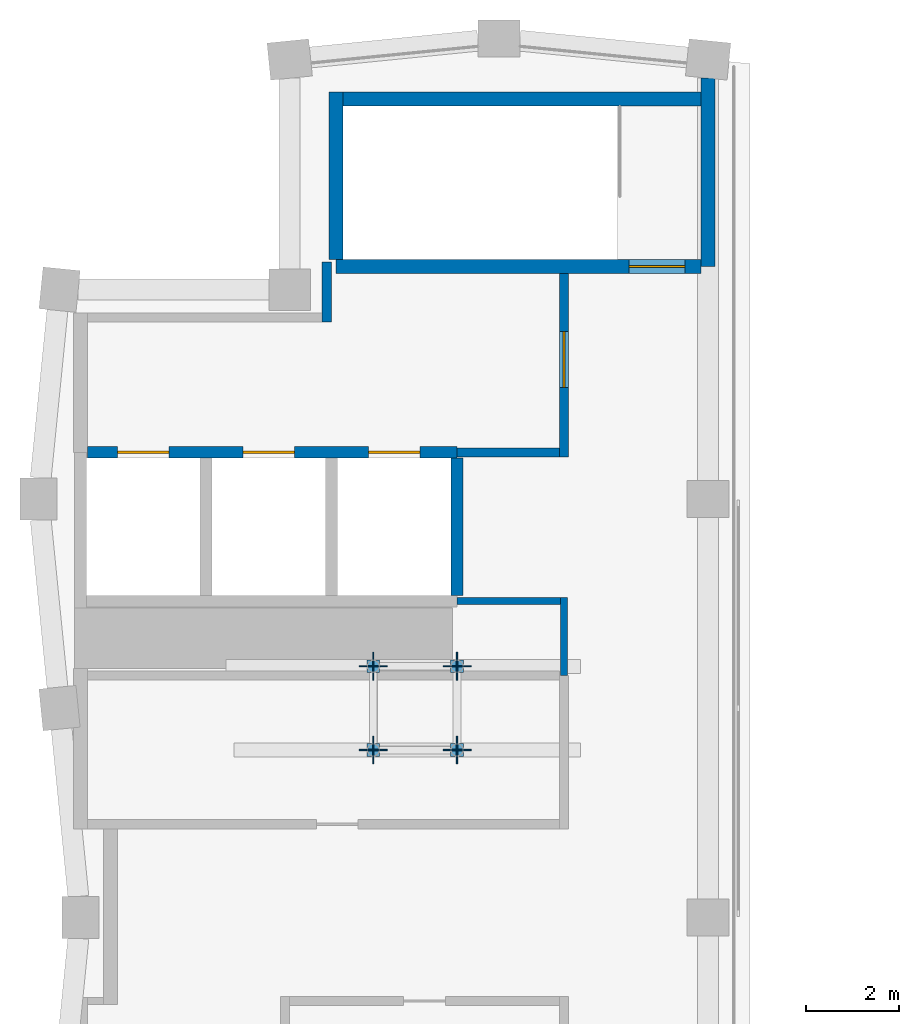
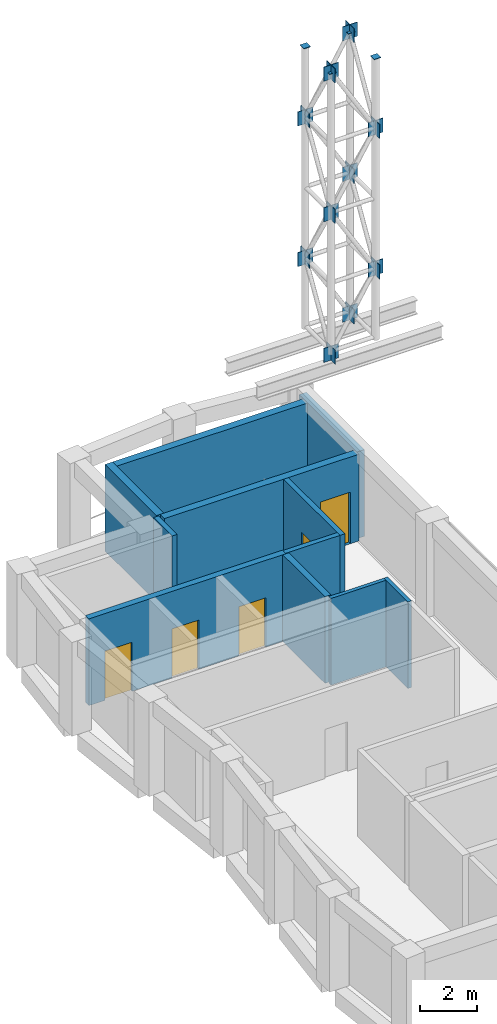
# One storey, part 6 of 7: 24 discrete accessories, 11 walls, 5 doors, 5 openings.
"""IFC4 building model written with IfcOpenShell, lengths in metres."""

from ifc_helpers import new_model, si_unit, direction, frame, frame_2d, origin, origin_2d, place, context, subcontext, project, spatial, rectangle, extrude, material, layer, layer_set, type_object, element, fill, save


model = new_model("IFC4")

# Units and contexts
model_context = context("Model", 3, precision=1e-05, world=origin(), true_north=direction((0.0, 1.0)))
body_context = subcontext(model_context, "Body", "Model", "MODEL_VIEW")
ifc_project = project(units=[si_unit("LENGTHUNIT", "METRE"), si_unit("AREAUNIT", "SQUARE_METRE"), si_unit("VOLUMEUNIT", "CUBIC_METRE"), si_unit("PLANEANGLEUNIT", "RADIAN"), si_unit("MASSUNIT", "GRAM", prefix="KILO")], contexts=[model_context])

# Site, building, storey
site_placement = place(None, origin())
site = spatial("IfcSite", under=ifc_project, at=site_placement, CompositionType="ELEMENT")
building_placement = place(site_placement, origin())
building = spatial("IfcBuilding", under=site, at=building_placement, Name="Brondeck Convention Tower", CompositionType="ELEMENT")
storey_placement = place(building_placement, frame((0.0, 0.0, 306.800048828125)))
storey = spatial("IfcBuildingStorey", under=building, at=storey_placement, Name="L76", CompositionType="ELEMENT", Elevation=306.800048828125)

# Walls
ifc_material_1 = material(Name="Fire-rated gypsum board partition")
ifc_layer_1 = layer(ifc_material_1, 0.14990234375)
ifc_layer_set_1 = layer_set([ifc_layer_1], Name="Core partition 150 EI 60")
wall_type_1 = type_object("IfcWallType", Name="Core partition 150 EI 60", PredefinedType="PARTITIONING", material=ifc_layer_set_1)
wall_1_placement = place(storey_placement, frame((8.10009765625, 51.800048828125, 0.0), z_axis=(0.0, 0.0, 1.0), x_axis=(1.0, 0.0, 0.0)))
element("IfcWall", 1, at=wall_1_placement, inside=storey, type_object=wall_type_1, Name="L76 core wall", PredefinedType="PARTITIONING", context=body_context, shape_type="SweptSolid", body=[
    extrude(rectangle(XDim=2.224853515625, YDim=0.14990234375, at=frame_2d((1.1123046875, 0.0))), origin(), (0.0, 0.0, 1.0), 3.699951171875),
])
wall_2_placement = place(storey_placement, frame((10.39990234375, 50.199951171875, 0.0), z_axis=(0.0, 0.0, 1.0), x_axis=(0.0, 1.0, 0.0)))
element("IfcWall", 2, at=wall_2_placement, inside=storey, type_object=wall_type_1, Name="L76 core wall", PredefinedType="PARTITIONING", context=body_context, shape_type="SweptSolid", body=[
    extrude(rectangle(XDim=1.675048828125, YDim=0.14990234375, at=frame_2d((0.83740234375, 0.0))), origin(), (0.0, 0.0, 1.0), 3.699951171875),
])
ifc_layer_2 = layer(ifc_material_1, 0.199951171875)
ifc_layer_set_2 = layer_set([ifc_layer_2], Name="Firefighting lobby wall 200 EI 120")
wall_type_2 = type_object("IfcWallType", Name="Firefighting lobby wall 200 EI 120", PredefinedType="PARTITIONING", material=ifc_layer_set_2)
wall_3_placement = place(storey_placement, frame((8.10009765625, 55.0, 0.0), z_axis=(0.0, 0.0, 1.0), x_axis=(1.0, 0.0, 0.0)))
element("IfcWall", 3, at=wall_3_placement, inside=storey, type_object=wall_type_2, Name="L76 core wall", PredefinedType="PARTITIONING", context=body_context, shape_type="SweptSolid", body=[
    extrude(rectangle(XDim=2.199951171875, YDim=0.199951171875, at=frame_2d((1.10009765625, 0.0))), origin(), (0.0, 0.0, 1.0), 3.699951171875),
])
wall_4_placement = place(storey_placement, frame((5.300048828125, 57.800048828125, 0.0), z_axis=(0.0, 0.0, 1.0), x_axis=(0.0, 1.0, 0.0)))
element("IfcWall", 4, at=wall_4_placement, inside=storey, type_object=wall_type_2, Name="L76 core wall", PredefinedType="PARTITIONING", context=body_context, shape_type="SweptSolid", body=[
    extrude(rectangle(XDim=1.300048828125, YDim=0.199951171875, at=frame_2d((0.64990234375, 0.0))), origin(), (0.0, 0.0, 1.0), 3.699951171875),
])

# Wall, opening, door
wall_5_placement = place(storey_placement, frame((10.39990234375, 54.89990234375, 0.0), z_axis=(0.0, 0.0, 1.0), x_axis=(0.0, 1.0, 0.0)))
wall_5 = element("IfcWall", 5, at=wall_5_placement, inside=storey, type_object=wall_type_2, Name="L76 core wall", PredefinedType="PARTITIONING", context=body_context, shape_type="SweptSolid", body=[
    extrude(rectangle(XDim=3.9501953125, YDim=0.199951171875, at=frame_2d((1.97509765625, 0.0))), origin(), (0.0, 0.0, 1.0), 3.699951171875),
])
opening_1_placement = place(wall_5_placement, frame((1.5, 0.0, 0.0)))
opening_1 = element("IfcOpeningElement", 6, at=opening_1_placement, cuts=wall_5, Name="Opening C43-01", PredefinedType="OPENING", context=body_context, shape_type="SweptSolid", body=[
    extrude(rectangle(XDim=1.199951171875, YDim=2.199951171875, at=frame_2d((0.60009765625, 1.10009765625))), frame((0.0, 0.10986328125, 0.0), z_axis=(0.0, -1.0, 0.0), x_axis=(1.0, 0.0, 0.0)), (0.0, 0.0, 1.0), 0.219970703125),
])
ifc_material_2 = material(Name="Steel fire door", Category="steel")
door_type_1 = type_object("IfcDoorType", Name="Firefighting lobby door 1200x2200 EI 120", OperationType="NOTDEFINED", PredefinedType="DOOR", material=ifc_material_2)
door_1_placement = place(opening_1_placement, origin())
door_1 = element("IfcDoor", 7, at=door_1_placement, inside=storey, type_object=door_type_1, Name="L76 Firefighting lobby door FFL-1", OperationType="SINGLE_SWING_RIGHT", OverallHeight=2.199951171875, OverallWidth=1.199951171875, PredefinedType="DOOR", context=body_context, shape_type="SweptSolid", body=[
    extrude(rectangle(XDim=1.199951171875, YDim=2.199951171875, at=frame_2d((0.60009765625, 1.10009765625))), frame((0.0, 0.02490234375, 0.0), z_axis=(0.0, -1.0, 0.0), x_axis=(1.0, 0.0, 0.0)), (0.0, 0.0, 1.0), 0.050048828125),
])
fill(opening_1, door_1)

# Wall, openings, doors
ifc_material_3 = material(Name="Concrete C50/60", Category="concrete")
ifc_layer_3 = layer(ifc_material_3, 0.25)
ifc_layer_set_3 = layer_set([ifc_layer_3], Name="Lift shaft wall 250 Concrete C50/60")
wall_type_3 = type_object("IfcWallType", Name="Lift shaft wall 250 Concrete C50/60", PredefinedType="SHEAR", material=ifc_layer_set_3)
wall_6_placement = place(storey_placement, frame((0.14990234375, 55.0, 0.0), z_axis=(0.0, 0.0, 1.0), x_axis=(1.0, 0.0, 0.0)))
wall_6 = element("IfcWall", 8, at=wall_6_placement, inside=storey, type_object=wall_type_3, Name="L76 core wall", PredefinedType="SHEAR", context=body_context, shape_type="SweptSolid", body=[
    extrude(rectangle(XDim=7.9501953125, YDim=0.25, at=frame_2d((3.97509765625, 0.0))), origin(), (0.0, 0.0, 1.0), 3.699951171875),
])
opening_2_placement = place(wall_6_placement, frame((0.64990234375, 0.0, 0.0)))
opening_2 = element("IfcOpeningElement", 9, at=opening_2_placement, cuts=wall_6, Name="Opening C43-06", PredefinedType="OPENING", context=body_context, shape_type="SweptSolid", body=[
    extrude(rectangle(XDim=1.10009765625, YDim=2.10009765625, at=frame_2d((0.550048828125, 1.050048828125))), frame((0.0, 0.135009765625, 0.0), z_axis=(0.0, -1.0, 0.0), x_axis=(1.0, 0.0, 0.0)), (0.0, 0.0, 1.0), 0.27001953125),
])
opening_3_placement = place(wall_6_placement, frame((3.35009765625, 0.0, 0.0)))
opening_3 = element("IfcOpeningElement", 10, at=opening_3_placement, cuts=wall_6, Name="Opening C43-07", PredefinedType="OPENING", context=body_context, shape_type="SweptSolid", body=[
    extrude(rectangle(XDim=1.10009765625, YDim=2.10009765625, at=frame_2d((0.550048828125, 1.050048828125))), frame((0.0, 0.135009765625, 0.0), z_axis=(0.0, -1.0, 0.0), x_axis=(1.0, 0.0, 0.0)), (0.0, 0.0, 1.0), 0.27001953125),
])
opening_4_placement = place(wall_6_placement, frame((6.050048828125, 0.0, 0.0)))
opening_4 = element("IfcOpeningElement", 11, at=opening_4_placement, cuts=wall_6, Name="Opening C43-08", PredefinedType="OPENING", context=body_context, shape_type="SweptSolid", body=[
    extrude(rectangle(XDim=1.10009765625, YDim=2.10009765625, at=frame_2d((0.550048828125, 1.050048828125))), frame((0.0, 0.135009765625, 0.0), z_axis=(0.0, -1.0, 0.0), x_axis=(1.0, 0.0, 0.0)), (0.0, 0.0, 1.0), 0.27001953125),
])
ifc_material_4 = material(Name="Stainless steel lift door", Category="steel")
door_type_2 = type_object("IfcDoorType", Name="Lift landing door 1100x2100 EI 180", OperationType="DOUBLE_DOOR_SLIDING", PredefinedType="DOOR", material=ifc_material_4)
door_2_placement = place(opening_2_placement, origin())
door_2 = element("IfcDoor", 12, at=door_2_placement, inside=storey, type_object=door_type_2, Name="L76 Lift landing door FF1", OperationType="DOUBLE_DOOR_SLIDING", OverallHeight=2.10009765625, OverallWidth=1.10009765625, PredefinedType="DOOR", context=body_context, shape_type="SweptSolid", body=[
    extrude(rectangle(XDim=1.10009765625, YDim=2.10009765625, at=frame_2d((0.550048828125, 1.050048828125))), frame((0.0, 0.02490234375, 0.0), z_axis=(0.0, -1.0, 0.0), x_axis=(1.0, 0.0, 0.0)), (0.0, 0.0, 1.0), 0.050048828125),
])
fill(opening_2, door_2)
door_3_placement = place(opening_3_placement, origin())
door_3 = element("IfcDoor", 13, at=door_3_placement, inside=storey, type_object=door_type_2, Name="L76 Lift landing door FF2", OperationType="DOUBLE_DOOR_SLIDING", OverallHeight=2.10009765625, OverallWidth=1.10009765625, PredefinedType="DOOR", context=body_context, shape_type="SweptSolid", body=[
    extrude(rectangle(XDim=1.10009765625, YDim=2.10009765625, at=frame_2d((0.550048828125, 1.050048828125))), frame((0.0, 0.02490234375, 0.0), z_axis=(0.0, -1.0, 0.0), x_axis=(1.0, 0.0, 0.0)), (0.0, 0.0, 1.0), 0.050048828125),
])
fill(opening_3, door_3)
door_4_placement = place(opening_4_placement, origin())
door_4 = element("IfcDoor", 14, at=door_4_placement, inside=storey, type_object=door_type_2, Name="L76 Lift landing door FF3", OperationType="DOUBLE_DOOR_SLIDING", OverallHeight=2.10009765625, OverallWidth=1.10009765625, PredefinedType="DOOR", context=body_context, shape_type="SweptSolid", body=[
    extrude(rectangle(XDim=1.10009765625, YDim=2.10009765625, at=frame_2d((0.550048828125, 1.050048828125))), frame((0.0, 0.02490234375, 0.0), z_axis=(0.0, -1.0, 0.0), x_axis=(1.0, 0.0, 0.0)), (0.0, 0.0, 1.0), 0.050048828125),
])
fill(opening_4, door_4)

# Wall
wall_7_placement = place(storey_placement, frame((8.10009765625, 51.925048828125, 0.0), z_axis=(0.0, 0.0, 1.0), x_axis=(0.0, 1.0, 0.0)))
element("IfcWall", 15, at=wall_7_placement, inside=storey, type_object=wall_type_3, Name="L76 core wall", PredefinedType="SHEAR", context=body_context, shape_type="SweptSolid", body=[
    extrude(rectangle(XDim=2.949951171875, YDim=0.25, at=frame_2d((1.47509765625, 0.0))), origin(), (0.0, 0.0, 1.0), 3.699951171875),
])

# Wall, opening, door
ifc_layer_4 = layer(ifc_material_3, 0.300048828125)
ifc_layer_set_4 = layer_set([ifc_layer_4], Name="Stair enclosure wall 300 Concrete C50/60")
wall_type_4 = type_object("IfcWallType", Name="Stair enclosure wall 300 Concrete C50/60", PredefinedType="SHEAR", material=ifc_layer_set_4)
wall_8_placement = place(storey_placement, frame((5.5, 59.0, 0.0), z_axis=(0.0, 0.0, 1.0), x_axis=(1.0, 0.0, 0.0)))
wall_8 = element("IfcWall", 16, at=wall_8_placement, inside=storey, type_object=wall_type_4, Name="L76 core wall", PredefinedType="SHEAR", context=body_context, shape_type="SweptSolid", body=[
    extrude(rectangle(XDim=7.85009765625, YDim=0.300048828125, at=frame_2d((3.925048828125, 0.0))), origin(), (0.0, 0.0, 1.0), 3.699951171875),
])
opening_5_placement = place(wall_8_placement, frame((6.300048828125, 0.0, 0.0)))
opening_5 = element("IfcOpeningElement", 17, at=opening_5_placement, cuts=wall_8, Name="Opening C43-05", PredefinedType="OPENING", context=body_context, shape_type="SweptSolid", body=[
    extrude(rectangle(XDim=1.199951171875, YDim=2.199951171875, at=frame_2d((0.60009765625, 1.10009765625))), frame((0.0, 0.159912109375, 0.0), z_axis=(0.0, -1.0, 0.0), x_axis=(1.0, 0.0, 0.0)), (0.0, 0.0, 1.0), 0.320068359375),
])
door_type_3 = type_object("IfcDoorType", Name="Stair door 1200x2200 EI 120", OperationType="NOTDEFINED", PredefinedType="DOOR", material=ifc_material_2)
door_5_placement = place(opening_5_placement, origin())
door_5 = element("IfcDoor", 18, at=door_5_placement, inside=storey, type_object=door_type_3, Name="L76 Stair door ST-3", OperationType="SINGLE_SWING_RIGHT", OverallHeight=2.199951171875, OverallWidth=1.199951171875, PredefinedType="DOOR", context=body_context, shape_type="SweptSolid", body=[
    extrude(rectangle(XDim=1.199951171875, YDim=2.199951171875, at=frame_2d((0.60009765625, 1.10009765625))), frame((0.0, 0.02490234375, 0.0), z_axis=(0.0, -1.0, 0.0), x_axis=(1.0, 0.0, 0.0)), (0.0, 0.0, 1.0), 0.050048828125),
])
fill(opening_5, door_5)

# Walls
wall_9_placement = place(storey_placement, frame((5.64990234375, 62.60009765625, 0.0), z_axis=(0.0, 0.0, 1.0), x_axis=(1.0, 0.0, 0.0)))
element("IfcWall", 19, at=wall_9_placement, inside=storey, type_object=wall_type_4, Name="L76 core wall", PredefinedType="SHEAR", context=body_context, shape_type="SweptSolid", body=[
    extrude(rectangle(XDim=7.7001953125, YDim=0.300048828125, at=frame_2d((3.85009765625, 0.0))), origin(), (0.0, 0.0, 1.0), 3.699951171875),
])
wall_10_placement = place(storey_placement, frame((5.5, 59.14990234375, 0.0), z_axis=(0.0, 0.0, 1.0), x_axis=(0.0, 1.0, 0.0)))
element("IfcWall", 20, at=wall_10_placement, inside=storey, type_object=wall_type_4, Name="L76 core wall", PredefinedType="SHEAR", context=body_context, shape_type="SweptSolid", body=[
    extrude(rectangle(XDim=3.60009765625, YDim=0.300048828125, at=frame_2d((1.800048828125, 0.0))), origin(), (0.0, 0.0, 1.0), 3.699951171875),
])
wall_11_placement = place(storey_placement, frame((13.5, 59.0, 0.0), z_axis=(0.0, 0.0, 1.0), x_axis=(0.0, 1.0, 0.0)))
element("IfcWall", 21, at=wall_11_placement, inside=storey, type_object=wall_type_4, Name="L76 core wall", PredefinedType="SHEAR", context=body_context, shape_type="SweptSolid", body=[
    extrude(rectangle(XDim=4.048095703125, YDim=0.300048828125, at=frame_2d((2.02392578125, 0.0))), origin(), (0.0, 0.0, 1.0), 3.699951171875),
])

# Discrete accessories
ifc_material_5 = material(Name="Steel S460", Category="steel")
ifc_layer_5 = layer(ifc_material_5, 0.02490234375)
ifc_layer_set_5 = layer_set([ifc_layer_5], Name="End plate 273x273x25 Steel S460")
discrete_accessory_type_1 = type_object("IfcDiscreteAccessoryType", Name="End plate 273x273x25 Steel S460", PredefinedType="BRACKET", material=ifc_layer_set_5)
for number, where, z_axis, x_axis, name in (
    (22, (6.300048828125, 48.60009765625, 28.697998046875), (0.0, 0.0, 1.0), (1.0, 0.0, 0.0), "End plate EP-4"),
    (23, (8.10009765625, 48.60009765625, 28.697998046875), (0.0, 0.0, 1.0), (1.0, 0.0, 0.0), "End plate EP-5"),
    (24, (8.10009765625, 50.39990234375, 28.697998046875), (0.0, 0.0, 1.0), (1.0, 0.0, 0.0), "End plate EP-6"),
    (25, (6.300048828125, 50.39990234375, 28.697998046875), (0.0, 0.0, 1.0), (1.0, 0.0, 0.0), "End plate EP-7"),
):
    element("IfcDiscreteAccessory", number, at=place(storey_placement, frame(where, z_axis=z_axis, x_axis=x_axis)), inside=storey, type_object=discrete_accessory_type_1, Name=name, PredefinedType="BRACKET", context=body_context, shape_type="SweptSolid", body=[
        extrude(rectangle(XDim=0.27294921875, YDim=0.27294921875, at=origin_2d()), origin(), (0.0, 0.0, 1.0), 0.02490234375),
    ])
ifc_layer_6 = layer(ifc_material_5, 0.02490234375)
ifc_layer_set_6 = layer_set([ifc_layer_6], Name="Gusset plate 600x600x25 Steel S460")
discrete_accessory_type_2 = type_object("IfcDiscreteAccessoryType", Name="Gusset plate 600x600x25 Steel S460", PredefinedType="BRACKET", material=ifc_layer_set_6)
for number, where, z_axis, x_axis, name in (
    (26, (6.300048828125, 48.60009765625, 16.39990234375), (0.0, 0.0, 1.0), (1.0, 0.0, 0.0), "Gusset plate GP-800"),
    (27, (8.10009765625, 48.60009765625, 19.39990234375), (0.0, 0.0, 1.0), (1.0, 0.0, 0.0), "Gusset plate GP-801"),
    (28, (8.10009765625, 50.39990234375, 16.39990234375), (0.0, 0.0, 1.0), (0.0, 1.0, 0.0), "Gusset plate GP-802"),
    (29, (8.10009765625, 48.60009765625, 19.39990234375), (0.0, 0.0, 1.0), (0.0, 1.0, 0.0), "Gusset plate GP-803"),
    (30, (8.10009765625, 50.39990234375, 16.39990234375), (0.0, 0.0, 1.0), (1.0, 0.0, 0.0), "Gusset plate GP-804"),
    (31, (6.300048828125, 50.39990234375, 19.39990234375), (0.0, 0.0, 1.0), (1.0, 0.0, 0.0), "Gusset plate GP-805"),
    (32, (6.300048828125, 48.60009765625, 16.39990234375), (0.0, 0.0, 1.0), (0.0, 1.0, 0.0), "Gusset plate GP-806"),
    (33, (6.300048828125, 50.39990234375, 19.39990234375), (0.0, 0.0, 1.0), (0.0, 1.0, 0.0), "Gusset plate GP-807"),
    (34, (6.300048828125, 48.60009765625, 22.39990234375), (0.0, 0.0, 1.0), (1.0, 0.0, 0.0), "Gusset plate GP-808"),
    (35, (8.10009765625, 50.39990234375, 22.39990234375), (0.0, 0.0, 1.0), (0.0, 1.0, 0.0), "Gusset plate GP-809"),
    (36, (8.10009765625, 50.39990234375, 22.39990234375), (0.0, 0.0, 1.0), (1.0, 0.0, 0.0), "Gusset plate GP-810"),
    (37, (6.300048828125, 48.60009765625, 22.39990234375), (0.0, 0.0, 1.0), (0.0, 1.0, 0.0), "Gusset plate GP-811"),
    (38, (8.10009765625, 48.60009765625, 25.39990234375), (0.0, 0.0, 1.0), (1.0, 0.0, 0.0), "Gusset plate GP-812"),
    (39, (8.10009765625, 48.60009765625, 25.39990234375), (0.0, 0.0, 1.0), (0.0, 1.0, 0.0), "Gusset plate GP-813"),
    (40, (6.300048828125, 50.39990234375, 25.39990234375), (0.0, 0.0, 1.0), (1.0, 0.0, 0.0), "Gusset plate GP-814"),
    (41, (6.300048828125, 50.39990234375, 25.39990234375), (0.0, 0.0, 1.0), (0.0, 1.0, 0.0), "Gusset plate GP-815"),
    (42, (6.300048828125, 48.60009765625, 28.39990234375), (0.0, 0.0, 1.0), (1.0, 0.0, 0.0), "Gusset plate GP-816"),
    (43, (8.10009765625, 50.39990234375, 28.39990234375), (0.0, 0.0, 1.0), (0.0, 1.0, 0.0), "Gusset plate GP-817"),
    (44, (8.10009765625, 50.39990234375, 28.39990234375), (0.0, 0.0, 1.0), (1.0, 0.0, 0.0), "Gusset plate GP-818"),
    (45, (6.300048828125, 48.60009765625, 28.39990234375), (0.0, 0.0, 1.0), (0.0, 1.0, 0.0), "Gusset plate GP-819"),
):
    element("IfcDiscreteAccessory", number, at=place(storey_placement, frame(where, z_axis=z_axis, x_axis=x_axis)), inside=storey, type_object=discrete_accessory_type_2, Name=name, PredefinedType="BRACKET", context=body_context, shape_type="SweptSolid", body=[
        extrude(rectangle(XDim=0.60009765625, YDim=0.02490234375, at=origin_2d()), origin(), (0.0, 0.0, 1.0), 0.60009765625),
    ])

save(model, "model.ifc")
